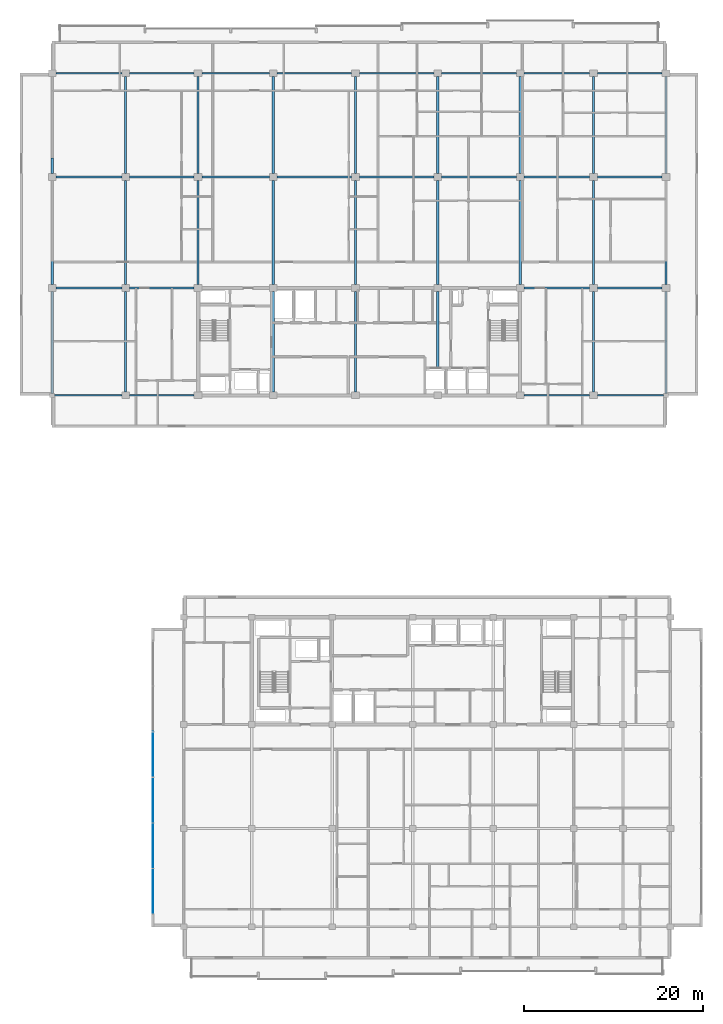
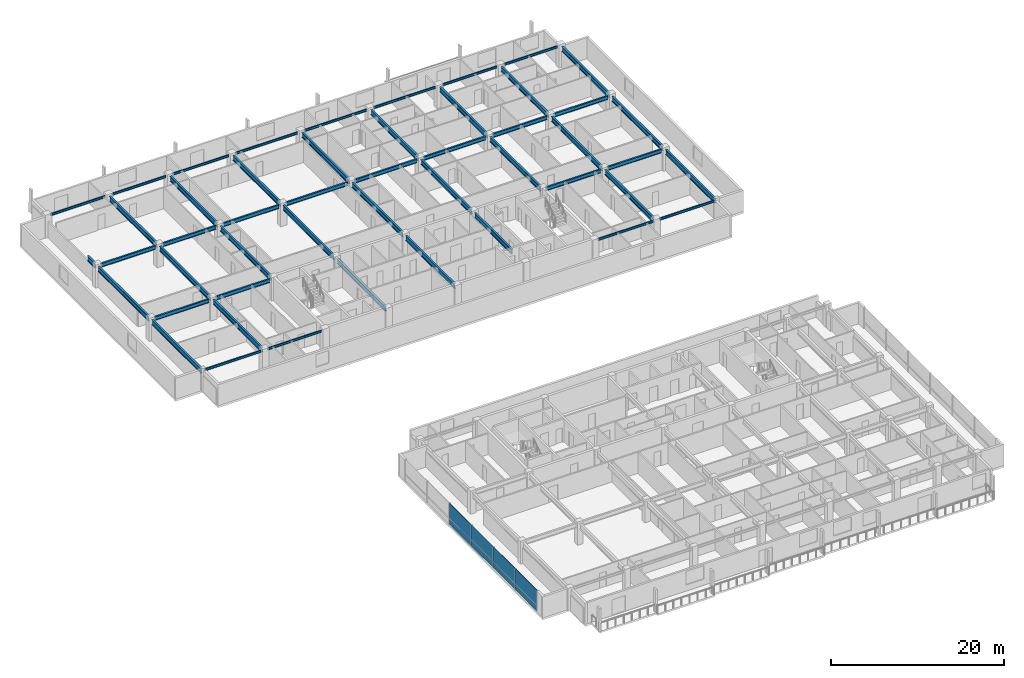
# One storey, part 11 of 30: 49 beams, 8 plates, 1 element without a shape of its own.
"""IFC4 building model written with IfcOpenShell, lengths in metres."""

import ifcopenshell
import ifcopenshell.guid

model = None  # the IFC model being written
_history = None  # IfcOwnerHistory: only IFC2X3 demands one
_inside = {}  # id of a spatial element -> (the spatial element, [elements in it])
_under = {}  # id of a project, library or spatial element -> (it, [spatial elements below it])
_declared = {}  # id of a project -> (the project, [libraries it declares])
_typed = {}  # id of a type object -> (the type object, [elements of that type])
_made_of = {}  # id of a material, layer set ... -> (it, [elements and type objects made of it])


def new_model(schema):
    """Start an empty IFC model of exactly this schema.

    Asked for "IFC4X3", IfcOpenShell would pick the latest addendum, in which some entities
    have other attributes; the version numbers below select the first issue.
    IFC2X3 requires an IfcOwnerHistory on every rooted entity: one is made here for all.
    """
    global model, _history
    if schema == "IFC4X3":
        model = ifcopenshell.file(schema_version=(4, 3, 0, 0))
    else:
        model = ifcopenshell.file(schema=schema)
    _inside.clear()
    _under.clear()
    _declared.clear()
    _typed.clear()
    _made_of.clear()
    _history = None
    if model.schema == "IFC2X3":
        org = make("IfcOrganization", Name="unknown")
        user = make(
            "IfcPersonAndOrganization",
            ThePerson=make("IfcPerson", FamilyName="unknown"),
            TheOrganization=org,
        )
        app = make(
            "IfcApplication",
            ApplicationDeveloper=org,
            Version="unknown",
            ApplicationFullName="unknown",
            ApplicationIdentifier="unknown",
        )
        _history = make(
            "IfcOwnerHistory",
            OwningUser=user,
            OwningApplication=app,
            ChangeAction="ADDED",
            CreationDate=0,
        )
    return model


def make(cls, **values):
    """One entity of the class cls with the attributes given. An attribute that is None is left unset."""
    return model.create_entity(
        cls, **{name: value for name, value in values.items() if value is not None}
    )


def rooted(cls, **values):
    """An entity with a GlobalId (a new one), such as an element, a storey or a relation."""
    return make(cls, GlobalId=ifcopenshell.guid.new(), OwnerHistory=_history, **values)


def si_unit(unit_type, name, prefix=None):
    """IfcSIUnit, for example si_unit("LENGTHUNIT", "METRE", prefix="MILLI")."""
    return make("IfcSIUnit", UnitType=unit_type, Prefix=prefix, Name=name)


def assignment(units):
    """IfcUnitAssignment: the units of a project."""
    return None if units is None else make("IfcUnitAssignment", Units=units)


def point(xyz):
    """IfcCartesianPoint."""
    return None if xyz is None else make("IfcCartesianPoint", Coordinates=xyz)


def direction(xyz):
    """IfcDirection."""
    return None if xyz is None else make("IfcDirection", DirectionRatios=xyz)


def frame(location, z_axis=None, x_axis=None):
    """IfcAxis2Placement3D, a coordinate frame: its origin and axes. An axis left out is left unset."""
    return make(
        "IfcAxis2Placement3D",
        Location=point(location),
        Axis=direction(z_axis),
        RefDirection=direction(x_axis),
    )


def frame_2d(location, x_axis=None):
    """IfcAxis2Placement2D, a coordinate frame in the plane: its origin and x axis."""
    return make(
        "IfcAxis2Placement2D", Location=point(location), RefDirection=direction(x_axis)
    )


def origin():
    """The frame at (0, 0, 0) with its axes left unset."""
    return frame((0.0, 0.0, 0.0))


def origin_2d():
    """The frame at (0, 0) in the plane with its x axis left unset."""
    return frame_2d((0.0, 0.0))


def place(relative_to, where):
    """IfcLocalPlacement: puts the frame where relative to a parent placement (None: the world)."""
    return make(
        "IfcLocalPlacement", PlacementRelTo=relative_to, RelativePlacement=where
    )


def context(
    kind, dimensions, precision=None, world=None, true_north=None, identifier=None
):
    """IfcGeometricRepresentationContext, for example the 3D "Model" context."""
    return make(
        "IfcGeometricRepresentationContext",
        ContextIdentifier=identifier,
        ContextType=kind,
        CoordinateSpaceDimension=dimensions,
        Precision=precision,
        WorldCoordinateSystem=world,
        TrueNorth=true_north,
    )


def subcontext(parent, identifier, kind, view, scale=None):
    """IfcGeometricRepresentationSubContext, for example "Body" below "Model"."""
    return make(
        "IfcGeometricRepresentationSubContext",
        ContextIdentifier=identifier,
        ContextType=kind,
        ParentContext=parent,
        TargetScale=scale,
        TargetView=view,
    )


def project(units=None, contexts=None):
    """IfcProject with its units and contexts."""
    return rooted(
        "IfcProject",
        Name="project",
        RepresentationContexts=contexts,
        UnitsInContext=assignment(units),
    )


def spatial(cls, under=None, at=None, **own):
    """A site, building, storey or space (cls), placed at a placement, below another one or the project."""
    s = rooted(cls, ObjectPlacement=at, **own)
    if under is not None:
        _under.setdefault(under.id(), (under, []))[1].append(s)
    return s


def profile(cls, at=None, kind="AREA", **sizes):
    """A parametric profile (cls). Its sizes go by their IFC names, for example OverallWidth=200.0."""
    return make(cls, ProfileType=kind, Position=at, **sizes)


def rectangle(**sizes):
    """IfcRectangleProfileDef."""
    return profile("IfcRectangleProfileDef", **sizes)


def i_section(**sizes):
    """IfcIShapeProfileDef."""
    return profile("IfcIShapeProfileDef", **sizes)


def extrude(swept, where, along, depth):
    """IfcExtrudedAreaSolid: the profile swept, set in the frame where, extruded along a direction by depth."""
    return make(
        "IfcExtrudedAreaSolid",
        SweptArea=swept,
        Position=where,
        ExtrudedDirection=direction(along),
        Depth=depth,
    )


def shape(context_of_items, identifier, shape_type, items):
    """IfcShapeRepresentation: the items that make up one representation, for example the "Body"."""
    return make(
        "IfcShapeRepresentation",
        ContextOfItems=context_of_items,
        RepresentationIdentifier=identifier,
        RepresentationType=shape_type,
        Items=items,
    )


def material(Name=None, Category=None):
    """IfcMaterial."""
    return make("IfcMaterial", Name=Name, Category=Category)


def layer(
    of_material, thickness, ventilated=None, Name=None, Category=None, Priority=None
):
    """IfcMaterialLayer: one layer of a wall or slab, of a material (None: an air gap)."""
    return make(
        "IfcMaterialLayer",
        Material=of_material,
        LayerThickness=thickness,
        IsVentilated=ventilated,
        Name=Name,
        Category=Category,
        Priority=Priority,
    )


def layer_set(layers, Name=None):
    """IfcMaterialLayerSet."""
    return make("IfcMaterialLayerSet", MaterialLayers=layers, LayerSetName=Name)


def material_profile(
    of_material, cross_section, Name=None, Category=None, Priority=None
):
    """IfcMaterialProfile: a cross section and its material."""
    return make(
        "IfcMaterialProfile",
        Name=Name,
        Material=of_material,
        Profile=cross_section,
        Priority=Priority,
        Category=Category,
    )


def profile_set(profiles, Name=None, composite=None):
    """IfcMaterialProfileSet."""
    return make(
        "IfcMaterialProfileSet",
        Name=Name,
        MaterialProfiles=profiles,
        CompositeProfile=composite,
    )


def made_of(thing, what):
    """Note that an element or type object is made of a material, layer set ...; save() writes the relation."""
    if what is not None:
        _made_of.setdefault(what.id(), (what, []))[1].append(thing)
    return thing


def type_object(cls, material=None, **own):
    """A type object (cls), such as IfcWallType, which elements share."""
    return made_of(rooted(cls, **own), material)


def element(
    cls,
    number,
    at=None,
    inside=None,
    cuts=None,
    type_object=None,
    material=None,
    context=None,
    identifier="Body",
    shape_type=None,
    held_by="IfcProductDefinitionShape",
    body=None,
    shapes=None,
    **own,
):
    """One element of the class cls, such as IfcWall. Its Tag is "e" and its number.

    at: its placement. inside: the storey or other place that contains it. cuts: it is an
    opening in that element (IfcRelVoidsElement). A single representation is given by context,
    identifier, shape_type and body (its items); several are given by shapes. held_by: the class
    of the entity that holds the representations. save() writes the other relations.
    """
    e = rooted(cls, Tag="e%d" % number, ObjectPlacement=at, **own)
    if body is not None:
        shapes = [shape(context, identifier, shape_type, body)]
    if shapes is not None:
        e.Representation = make(held_by, Representations=shapes)
    if inside is not None:
        _inside.setdefault(inside.id(), (inside, []))[1].append(e)
    if cuts is not None:
        rooted(
            "IfcRelVoidsElement", RelatingBuildingElement=cuts, RelatedOpeningElement=e
        )
    if type_object is not None:
        _typed.setdefault(type_object.id(), (type_object, []))[1].append(e)
    return made_of(e, material)


def aggregate(whole, parts):
    """IfcRelAggregates: a whole, such as a stair, and the parts it consists of."""
    return rooted("IfcRelAggregates", RelatingObject=whole, RelatedObjects=parts)


def save(model, path):
    """Write the relations noted so far, then the file.

    IfcRelAggregates (storeys below a building ...), IfcRelContainedInSpatialStructure (elements
    in a storey), IfcRelDefinesByType, IfcRelAssociatesMaterial and IfcRelDeclares: one each for
    every whole, place, type object, material and project.
    """
    for whole, parts in _under.values():
        aggregate(whole, parts)
    for where, things in _inside.values():
        rooted(
            "IfcRelContainedInSpatialStructure",
            RelatedElements=things,
            RelatingStructure=where,
        )
    for kind, things in _typed.values():
        rooted("IfcRelDefinesByType", RelatedObjects=things, RelatingType=kind)
    for what, things in _made_of.values():
        rooted("IfcRelAssociatesMaterial", RelatedObjects=things, RelatingMaterial=what)
    for by, libraries in _declared.values():
        rooted("IfcRelDeclares", RelatingContext=by, RelatedDefinitions=libraries)
    model.write(path)


model = new_model("IFC4")

# Units and contexts
model_context = context("Model", 3, precision=1e-05, world=origin(), true_north=direction((0.0, 1.0)))
body_context = subcontext(model_context, "Body", "Model", "MODEL_VIEW")
ifc_project = project(units=[si_unit("LENGTHUNIT", "METRE"), si_unit("AREAUNIT", "SQUARE_METRE"), si_unit("VOLUMEUNIT", "CUBIC_METRE"), si_unit("PLANEANGLEUNIT", "RADIAN"), si_unit("MASSUNIT", "GRAM", prefix="KILO")], contexts=[model_context])

# Site, building, storey
site_placement = place(None, origin())
site = spatial("IfcSite", under=ifc_project, at=site_placement, CompositionType="ELEMENT")
building_placement = place(site_placement, origin())
building = spatial("IfcBuilding", under=site, at=building_placement, Name="Korimba Cascade Residences", CompositionType="ELEMENT")
storey_placement = place(building_placement, frame((0.0, 0.0, 201.10009765625)))
storey = spatial("IfcBuildingStorey", under=building, at=storey_placement, Name="L58", CompositionType="ELEMENT", Elevation=201.10009765625)

# Beams
ifc_material_1 = material(Name="Steel S355", Category="steel")
ifc_material_profile_1 = material_profile(ifc_material_1, i_section(OverallWidth=0.165771484375, OverallDepth=0.306640625, WebThickness=0.006591796875, FlangeThickness=0.01171875, FilletRadius=0.0087890625, at=origin_2d()), Name="Steel S355")
ifc_profile_set_1 = profile_set([ifc_material_profile_1], Name="Steel S355")
beam_type_1 = type_object("IfcBeamType", Name="BM-STL-UB305", PredefinedType="SPANDREL", material=ifc_profile_set_1)
beam_1_placement = place(storey_placement, frame((60.074951171875, 55.199951171875, 2.816650390625), z_axis=(1.0, 0.0, 0.0), x_axis=(0.0, 1.0, 0.0)))
element("IfcBeam", 1, at=beam_1_placement, inside=storey, type_object=beam_type_1, Name="L58 T1 E-W Girder Y1 Bay 1", PredefinedType="SPANDREL", context=body_context, shape_type="SweptSolid", body=[
    extrude(i_section(OverallWidth=0.165771484375, OverallDepth=0.306640625, WebThickness=0.006591796875, FlangeThickness=0.01171875, FilletRadius=0.0087890625, at=origin_2d()), origin(), (0.0, 0.0, 1.0), 7.5),
])
beam_2_placement = place(storey_placement, frame((68.425048828125, 55.199951171875, 2.816650390625), z_axis=(1.0, 0.0, 0.0), x_axis=(0.0, 1.0, 0.0)))
element("IfcBeam", 2, at=beam_2_placement, inside=storey, type_object=beam_type_1, Name="L58 T1 E-W Girder Y1 Bay 2", PredefinedType="SPANDREL", context=body_context, shape_type="SweptSolid", body=[
    extrude(i_section(OverallWidth=0.165771484375, OverallDepth=0.306640625, WebThickness=0.006591796875, FlangeThickness=0.01171875, FilletRadius=0.0087890625, at=origin_2d()), origin(), (0.0, 0.0, 1.0), 7.25),
])
beam_3_placement = place(storey_placement, frame((112.52490234375, 55.199951171875, 2.816650390625), z_axis=(1.0, 0.0, 0.0), x_axis=(0.0, 1.0, 0.0)))
element("IfcBeam", 3, at=beam_3_placement, inside=storey, type_object=beam_type_1, Name="L58 T1 E-W Girder Y1 Bay 7", PredefinedType="SPANDREL", context=body_context, shape_type="SweptSolid", body=[
    extrude(i_section(OverallWidth=0.165771484375, OverallDepth=0.306640625, WebThickness=0.006591796875, FlangeThickness=0.01171875, FilletRadius=0.0087890625, at=origin_2d()), origin(), (0.0, 0.0, 1.0), 7.35009765625),
])
beam_4_placement = place(storey_placement, frame((120.72509765625, 55.199951171875, 2.816650390625), z_axis=(1.0, 0.0, 0.0), x_axis=(0.0, 1.0, 0.0)))
element("IfcBeam", 4, at=beam_4_placement, inside=storey, type_object=beam_type_1, Name="L58 T1 E-W Girder Y1 Bay 8", PredefinedType="SPANDREL", context=body_context, shape_type="SweptSolid", body=[
    extrude(i_section(OverallWidth=0.165771484375, OverallDepth=0.306640625, WebThickness=0.006591796875, FlangeThickness=0.01171875, FilletRadius=0.0087890625, at=origin_2d()), origin(), (0.0, 0.0, 1.0), 7.39990234375),
])
beam_5_placement = place(storey_placement, frame((60.22509765625, 91.199951171875, 2.816650390625), z_axis=(1.0, 0.0, 0.0), x_axis=(0.0, 1.0, 0.0)))
element("IfcBeam", 5, at=beam_5_placement, inside=storey, type_object=beam_type_1, Name="L58 T1 E-W Girder Y4 Bay 1", PredefinedType="SPANDREL", context=body_context, shape_type="SweptSolid", body=[
    extrude(i_section(OverallWidth=0.165771484375, OverallDepth=0.306640625, WebThickness=0.006591796875, FlangeThickness=0.01171875, FilletRadius=0.0087890625, at=origin_2d()), origin(), (0.0, 0.0, 1.0), 7.349853515625),
])
beam_6_placement = place(storey_placement, frame((68.425048828125, 91.199951171875, 2.816650390625), z_axis=(1.0, 0.0, 0.0), x_axis=(0.0, 1.0, 0.0)))
element("IfcBeam", 6, at=beam_6_placement, inside=storey, type_object=beam_type_1, Name="L58 T1 E-W Girder Y4 Bay 2", PredefinedType="SPANDREL", context=body_context, shape_type="SweptSolid", body=[
    extrude(i_section(OverallWidth=0.165771484375, OverallDepth=0.306640625, WebThickness=0.006591796875, FlangeThickness=0.01171875, FilletRadius=0.0087890625, at=origin_2d()), origin(), (0.0, 0.0, 1.0), 7.25),
])
beam_7_placement = place(storey_placement, frame((76.52490234375, 91.199951171875, 2.816650390625), z_axis=(1.0, 0.0, 0.0), x_axis=(0.0, 1.0, 0.0)))
element("IfcBeam", 7, at=beam_7_placement, inside=storey, type_object=beam_type_1, Name="L58 T1 E-W Girder Y4 Bay 3", PredefinedType="SPANDREL", context=body_context, shape_type="SweptSolid", body=[
    extrude(i_section(OverallWidth=0.165771484375, OverallDepth=0.306640625, WebThickness=0.006591796875, FlangeThickness=0.01171875, FilletRadius=0.0087890625, at=origin_2d()), origin(), (0.0, 0.0, 1.0), 7.550048828125),
])
beam_8_placement = place(storey_placement, frame((84.925048828125, 91.199951171875, 2.816650390625), z_axis=(1.0, 0.0, 0.0), x_axis=(0.0, 1.0, 0.0)))
element("IfcBeam", 8, at=beam_8_placement, inside=storey, type_object=beam_type_1, Name="L58 T1 E-W Girder Y4 Bay 4", PredefinedType="SPANDREL", context=body_context, shape_type="SweptSolid", body=[
    extrude(i_section(OverallWidth=0.165771484375, OverallDepth=0.306640625, WebThickness=0.006591796875, FlangeThickness=0.01171875, FilletRadius=0.0087890625, at=origin_2d()), origin(), (0.0, 0.0, 1.0), 8.349853515625),
])
for number, where, z_axis, x_axis, name in (
    (9, (94.125, 91.199951171875, 2.816650390625), (1.0, 0.0, 0.0), (0.0, 1.0, 0.0), "L58 T1 E-W Girder Y4 Bay 5"),
    (10, (103.324951171875, 91.199951171875, 2.816650390625), (1.0, 0.0, 0.0), (0.0, 1.0, 0.0), "L58 T1 E-W Girder Y4 Bay 6"),
):
    element("IfcBeam", number, at=place(storey_placement, frame(where, z_axis=z_axis, x_axis=x_axis)), inside=storey, type_object=beam_type_1, Name=name, PredefinedType="SPANDREL", context=body_context, shape_type="SweptSolid", body=[
        extrude(i_section(OverallWidth=0.165771484375, OverallDepth=0.306640625, WebThickness=0.006591796875, FlangeThickness=0.01171875, FilletRadius=0.0087890625, at=origin_2d()), origin(), (0.0, 0.0, 1.0), 8.35009765625),
    ])
beam_9_placement = place(storey_placement, frame((112.52490234375, 91.199951171875, 2.816650390625), z_axis=(1.0, 0.0, 0.0), x_axis=(0.0, 1.0, 0.0)))
element("IfcBeam", 11, at=beam_9_placement, inside=storey, type_object=beam_type_1, Name="L58 T1 E-W Girder Y4 Bay 7", PredefinedType="SPANDREL", context=body_context, shape_type="SweptSolid", body=[
    extrude(i_section(OverallWidth=0.165771484375, OverallDepth=0.306640625, WebThickness=0.006591796875, FlangeThickness=0.01171875, FilletRadius=0.0087890625, at=origin_2d()), origin(), (0.0, 0.0, 1.0), 7.35009765625),
])
beam_10_placement = place(storey_placement, frame((120.72509765625, 91.199951171875, 2.816650390625), z_axis=(1.0, 0.0, 0.0), x_axis=(0.0, 1.0, 0.0)))
element("IfcBeam", 12, at=beam_10_placement, inside=storey, type_object=beam_type_1, Name="L58 T1 E-W Girder Y4 Bay 8", PredefinedType="SPANDREL", context=body_context, shape_type="SweptSolid", body=[
    extrude(i_section(OverallWidth=0.165771484375, OverallDepth=0.306640625, WebThickness=0.006591796875, FlangeThickness=0.01171875, FilletRadius=0.0087890625, at=origin_2d()), origin(), (0.0, 0.0, 1.0), 7.25),
])
ifc_material_profile_2 = material_profile(ifc_material_1, i_section(OverallWidth=0.2099609375, OverallDepth=0.53662109375, WebThickness=0.0107421875, FlangeThickness=0.017333984375, FilletRadius=0.0126953125, at=origin_2d()), Name="Steel S355")
ifc_profile_set_2 = profile_set([ifc_material_profile_2], Name="Steel S355")
beam_type_2 = type_object("IfcBeamType", Name="BM-STL-UB533", PredefinedType="BEAM", material=ifc_profile_set_2)
beam_11_placement = place(storey_placement, frame((60.22509765625, 67.199951171875, 2.701416015625), z_axis=(1.0, 0.0, 0.0), x_axis=(0.0, 1.0, 0.0)))
element("IfcBeam", 13, at=beam_11_placement, inside=storey, type_object=beam_type_2, Name="L58 T1 E-W Girder Y2 Bay 1", PredefinedType="BEAM", context=body_context, shape_type="SweptSolid", body=[
    extrude(i_section(OverallWidth=0.2099609375, OverallDepth=0.53662109375, WebThickness=0.0107421875, FlangeThickness=0.017333984375, FilletRadius=0.0126953125, at=origin_2d()), origin(), (0.0, 0.0, 1.0), 7.349853515625),
])
beam_12_placement = place(storey_placement, frame((68.425048828125, 67.199951171875, 2.701416015625), z_axis=(1.0, 0.0, 0.0), x_axis=(0.0, 1.0, 0.0)))
element("IfcBeam", 14, at=beam_12_placement, inside=storey, type_object=beam_type_2, Name="L58 T1 E-W Girder Y2 Bay 2", PredefinedType="BEAM", context=body_context, shape_type="SweptSolid", body=[
    extrude(i_section(OverallWidth=0.2099609375, OverallDepth=0.53662109375, WebThickness=0.0107421875, FlangeThickness=0.017333984375, FilletRadius=0.0126953125, at=origin_2d()), origin(), (0.0, 0.0, 1.0), 7.25),
])
beam_13_placement = place(storey_placement, frame((112.52490234375, 67.199951171875, 2.701416015625), z_axis=(1.0, 0.0, 0.0), x_axis=(0.0, 1.0, 0.0)))
element("IfcBeam", 15, at=beam_13_placement, inside=storey, type_object=beam_type_2, Name="L58 T1 E-W Girder Y2 Bay 7", PredefinedType="BEAM", context=body_context, shape_type="SweptSolid", body=[
    extrude(i_section(OverallWidth=0.2099609375, OverallDepth=0.53662109375, WebThickness=0.0107421875, FlangeThickness=0.017333984375, FilletRadius=0.0126953125, at=origin_2d()), origin(), (0.0, 0.0, 1.0), 7.35009765625),
])
beam_14_placement = place(storey_placement, frame((120.72509765625, 67.199951171875, 2.701416015625), z_axis=(1.0, 0.0, 0.0), x_axis=(0.0, 1.0, 0.0)))
element("IfcBeam", 16, at=beam_14_placement, inside=storey, type_object=beam_type_2, Name="L58 T1 E-W Girder Y2 Bay 8", PredefinedType="BEAM", context=body_context, shape_type="SweptSolid", body=[
    extrude(i_section(OverallWidth=0.2099609375, OverallDepth=0.53662109375, WebThickness=0.0107421875, FlangeThickness=0.017333984375, FilletRadius=0.0126953125, at=origin_2d()), origin(), (0.0, 0.0, 1.0), 7.25),
])
beam_15_placement = place(storey_placement, frame((60.22509765625, 79.60009765625, 2.701416015625), z_axis=(1.0, 0.0, 0.0), x_axis=(0.0, 1.0, 0.0)))
element("IfcBeam", 17, at=beam_15_placement, inside=storey, type_object=beam_type_2, Name="L58 T1 E-W Girder Y3 Bay 1", PredefinedType="BEAM", context=body_context, shape_type="SweptSolid", body=[
    extrude(i_section(OverallWidth=0.2099609375, OverallDepth=0.53662109375, WebThickness=0.0107421875, FlangeThickness=0.017333984375, FilletRadius=0.0126953125, at=origin_2d()), origin(), (0.0, 0.0, 1.0), 7.349853515625),
])
beam_16_placement = place(storey_placement, frame((68.425048828125, 79.60009765625, 2.701416015625), z_axis=(1.0, 0.0, 0.0), x_axis=(0.0, 1.0, 0.0)))
element("IfcBeam", 18, at=beam_16_placement, inside=storey, type_object=beam_type_2, Name="L58 T1 E-W Girder Y3 Bay 2", PredefinedType="BEAM", context=body_context, shape_type="SweptSolid", body=[
    extrude(i_section(OverallWidth=0.2099609375, OverallDepth=0.53662109375, WebThickness=0.0107421875, FlangeThickness=0.017333984375, FilletRadius=0.0126953125, at=origin_2d()), origin(), (0.0, 0.0, 1.0), 7.25),
])
beam_17_placement = place(storey_placement, frame((76.52490234375, 79.60009765625, 2.701416015625), z_axis=(1.0, 0.0, 0.0), x_axis=(0.0, 1.0, 0.0)))
element("IfcBeam", 19, at=beam_17_placement, inside=storey, type_object=beam_type_2, Name="L58 T1 E-W Girder Y3 Bay 3", PredefinedType="BEAM", context=body_context, shape_type="SweptSolid", body=[
    extrude(i_section(OverallWidth=0.2099609375, OverallDepth=0.53662109375, WebThickness=0.0107421875, FlangeThickness=0.017333984375, FilletRadius=0.0126953125, at=origin_2d()), origin(), (0.0, 0.0, 1.0), 7.550048828125),
])
beam_18_placement = place(storey_placement, frame((84.925048828125, 79.60009765625, 2.701416015625), z_axis=(1.0, 0.0, 0.0), x_axis=(0.0, 1.0, 0.0)))
element("IfcBeam", 20, at=beam_18_placement, inside=storey, type_object=beam_type_2, Name="L58 T1 E-W Girder Y3 Bay 4", PredefinedType="BEAM", context=body_context, shape_type="SweptSolid", body=[
    extrude(i_section(OverallWidth=0.2099609375, OverallDepth=0.53662109375, WebThickness=0.0107421875, FlangeThickness=0.017333984375, FilletRadius=0.0126953125, at=origin_2d()), origin(), (0.0, 0.0, 1.0), 8.349853515625),
])
for number, where, z_axis, x_axis, name in (
    (21, (94.125, 79.60009765625, 2.701416015625), (1.0, 0.0, 0.0), (0.0, 1.0, 0.0), "L58 T1 E-W Girder Y3 Bay 5"),
    (22, (103.324951171875, 79.60009765625, 2.701416015625), (1.0, 0.0, 0.0), (0.0, 1.0, 0.0), "L58 T1 E-W Girder Y3 Bay 6"),
):
    element("IfcBeam", number, at=place(storey_placement, frame(where, z_axis=z_axis, x_axis=x_axis)), inside=storey, type_object=beam_type_2, Name=name, PredefinedType="BEAM", context=body_context, shape_type="SweptSolid", body=[
        extrude(i_section(OverallWidth=0.2099609375, OverallDepth=0.53662109375, WebThickness=0.0107421875, FlangeThickness=0.017333984375, FilletRadius=0.0126953125, at=origin_2d()), origin(), (0.0, 0.0, 1.0), 8.35009765625),
    ])
beam_19_placement = place(storey_placement, frame((112.52490234375, 79.60009765625, 2.701416015625), z_axis=(1.0, 0.0, 0.0), x_axis=(0.0, 1.0, 0.0)))
element("IfcBeam", 23, at=beam_19_placement, inside=storey, type_object=beam_type_2, Name="L58 T1 E-W Girder Y3 Bay 7", PredefinedType="BEAM", context=body_context, shape_type="SweptSolid", body=[
    extrude(i_section(OverallWidth=0.2099609375, OverallDepth=0.53662109375, WebThickness=0.0107421875, FlangeThickness=0.017333984375, FilletRadius=0.0126953125, at=origin_2d()), origin(), (0.0, 0.0, 1.0), 7.35009765625),
])
beam_20_placement = place(storey_placement, frame((120.72509765625, 79.60009765625, 2.701416015625), z_axis=(1.0, 0.0, 0.0), x_axis=(0.0, 1.0, 0.0)))
element("IfcBeam", 24, at=beam_20_placement, inside=storey, type_object=beam_type_2, Name="L58 T1 E-W Girder Y3 Bay 8", PredefinedType="BEAM", context=body_context, shape_type="SweptSolid", body=[
    extrude(i_section(OverallWidth=0.2099609375, OverallDepth=0.53662109375, WebThickness=0.0107421875, FlangeThickness=0.017333984375, FilletRadius=0.0126953125, at=origin_2d()), origin(), (0.0, 0.0, 1.0), 7.25),
])
ifc_material_profile_3 = material_profile(ifc_material_1, i_section(OverallWidth=0.255859375, OverallDepth=0.69287109375, WebThickness=0.014404296875, FlangeThickness=0.023681640625, FilletRadius=0.01513671875, at=origin_2d()), Name="Steel S355")
ifc_profile_set_3 = profile_set([ifc_material_profile_3], Name="Steel S355")
beam_type_3 = type_object("IfcBeamType", Name="BM-STL-UB686", PredefinedType="BEAM", material=ifc_profile_set_3)
beam_21_placement = place(storey_placement, frame((59.800048828125, 55.425048828125, 2.623291015625), z_axis=(0.0, 1.0, 0.0), x_axis=(-1.0, 0.0, 0.0)))
element("IfcBeam", 25, at=beam_21_placement, inside=storey, type_object=beam_type_3, Name="L58 T1 N-S Girder X1 Seg 1", PredefinedType="BEAM", context=body_context, shape_type="SweptSolid", body=[
    extrude(i_section(OverallWidth=0.255859375, OverallDepth=0.69287109375, WebThickness=0.014404296875, FlangeThickness=0.023681640625, FilletRadius=0.01513671875, at=origin_2d()), origin(), (0.0, 0.0, 1.0), 11.39990234375),
])
beam_22_placement = place(storey_placement, frame((59.800048828125, 67.574951171875, 2.623291015625), z_axis=(0.0, 1.0, 0.0), x_axis=(-1.0, 0.0, 0.0)))
element("IfcBeam", 26, at=beam_22_placement, inside=storey, type_object=beam_type_3, Name="L58 T1 N-S Girder X1 Seg 2", PredefinedType="BEAM", context=body_context, shape_type="SweptSolid", body=[
    extrude(i_section(OverallWidth=0.255859375, OverallDepth=0.69287109375, WebThickness=0.014404296875, FlangeThickness=0.023681640625, FilletRadius=0.01513671875, at=origin_2d()), origin(), (0.0, 0.0, 1.0), 11.650146484375),
])
beam_23_placement = place(storey_placement, frame((59.800048828125, 79.97509765625, 2.623291015625), z_axis=(0.0, 1.0, 0.0), x_axis=(-1.0, 0.0, 0.0)))
element("IfcBeam", 27, at=beam_23_placement, inside=storey, type_object=beam_type_3, Name="L58 T1 N-S Girder X1 Seg 3", PredefinedType="BEAM", context=body_context, shape_type="SweptSolid", body=[
    extrude(i_section(OverallWidth=0.255859375, OverallDepth=0.69287109375, WebThickness=0.014404296875, FlangeThickness=0.023681640625, FilletRadius=0.01513671875, at=origin_2d()), origin(), (0.0, 0.0, 1.0), 1.724853515625),
])
beam_24_placement = place(storey_placement, frame((68.0, 55.574951171875, 2.623291015625), z_axis=(0.0, 1.0, 0.0), x_axis=(-1.0, 0.0, 0.0)))
element("IfcBeam", 28, at=beam_24_placement, inside=storey, type_object=beam_type_3, Name="L58 T1 N-S Girder X2 Seg 1", PredefinedType="BEAM", context=body_context, shape_type="SweptSolid", body=[
    extrude(i_section(OverallWidth=0.255859375, OverallDepth=0.69287109375, WebThickness=0.014404296875, FlangeThickness=0.023681640625, FilletRadius=0.01513671875, at=origin_2d()), origin(), (0.0, 0.0, 1.0), 11.25),
])
beam_25_placement = place(storey_placement, frame((68.0, 67.574951171875, 2.623291015625), z_axis=(0.0, 1.0, 0.0), x_axis=(-1.0, 0.0, 0.0)))
element("IfcBeam", 29, at=beam_25_placement, inside=storey, type_object=beam_type_3, Name="L58 T1 N-S Girder X2 Seg 2", PredefinedType="BEAM", context=body_context, shape_type="SweptSolid", body=[
    extrude(i_section(OverallWidth=0.255859375, OverallDepth=0.69287109375, WebThickness=0.014404296875, FlangeThickness=0.023681640625, FilletRadius=0.01513671875, at=origin_2d()), origin(), (0.0, 0.0, 1.0), 11.650146484375),
])
beam_26_placement = place(storey_placement, frame((68.0, 79.97509765625, 2.623291015625), z_axis=(0.0, 1.0, 0.0), x_axis=(-1.0, 0.0, 0.0)))
element("IfcBeam", 30, at=beam_26_placement, inside=storey, type_object=beam_type_3, Name="L58 T1 N-S Girder X2 Seg 3", PredefinedType="BEAM", context=body_context, shape_type="SweptSolid", body=[
    extrude(i_section(OverallWidth=0.255859375, OverallDepth=0.69287109375, WebThickness=0.014404296875, FlangeThickness=0.023681640625, FilletRadius=0.01513671875, at=origin_2d()), origin(), (0.0, 0.0, 1.0), 10.849853515625),
])
beam_27_placement = place(storey_placement, frame((76.10009765625, 67.574951171875, 2.623291015625), z_axis=(0.0, 1.0, 0.0), x_axis=(-1.0, 0.0, 0.0)))
element("IfcBeam", 31, at=beam_27_placement, inside=storey, type_object=beam_type_3, Name="L58 T1 N-S Girder X3 Seg 2", PredefinedType="BEAM", context=body_context, shape_type="SweptSolid", body=[
    extrude(i_section(OverallWidth=0.255859375, OverallDepth=0.69287109375, WebThickness=0.014404296875, FlangeThickness=0.023681640625, FilletRadius=0.01513671875, at=origin_2d()), origin(), (0.0, 0.0, 1.0), 11.650146484375),
])
beam_28_placement = place(storey_placement, frame((76.10009765625, 79.97509765625, 2.623291015625), z_axis=(0.0, 1.0, 0.0), x_axis=(-1.0, 0.0, 0.0)))
element("IfcBeam", 32, at=beam_28_placement, inside=storey, type_object=beam_type_3, Name="L58 T1 N-S Girder X3 Seg 3", PredefinedType="BEAM", context=body_context, shape_type="SweptSolid", body=[
    extrude(i_section(OverallWidth=0.255859375, OverallDepth=0.69287109375, WebThickness=0.014404296875, FlangeThickness=0.023681640625, FilletRadius=0.01513671875, at=origin_2d()), origin(), (0.0, 0.0, 1.0), 10.849853515625),
])
beam_29_placement = place(storey_placement, frame((84.5, 55.574951171875, 2.623291015625), z_axis=(0.0, 1.0, 0.0), x_axis=(-1.0, 0.0, 0.0)))
element("IfcBeam", 33, at=beam_29_placement, inside=storey, type_object=beam_type_3, Name="L58 T1 N-S Girder X4 Seg 1", PredefinedType="BEAM", context=body_context, shape_type="SweptSolid", body=[
    extrude(i_section(OverallWidth=0.255859375, OverallDepth=0.69287109375, WebThickness=0.014404296875, FlangeThickness=0.023681640625, FilletRadius=0.01513671875, at=origin_2d()), origin(), (0.0, 0.0, 1.0), 11.25),
])
beam_30_placement = place(storey_placement, frame((84.5, 67.574951171875, 2.623291015625), z_axis=(0.0, 1.0, 0.0), x_axis=(-1.0, 0.0, 0.0)))
element("IfcBeam", 34, at=beam_30_placement, inside=storey, type_object=beam_type_3, Name="L58 T1 N-S Girder X4 Seg 2", PredefinedType="BEAM", context=body_context, shape_type="SweptSolid", body=[
    extrude(i_section(OverallWidth=0.255859375, OverallDepth=0.69287109375, WebThickness=0.014404296875, FlangeThickness=0.023681640625, FilletRadius=0.01513671875, at=origin_2d()), origin(), (0.0, 0.0, 1.0), 11.650146484375),
])
beam_31_placement = place(storey_placement, frame((84.5, 79.97509765625, 2.623291015625), z_axis=(0.0, 1.0, 0.0), x_axis=(-1.0, 0.0, 0.0)))
element("IfcBeam", 35, at=beam_31_placement, inside=storey, type_object=beam_type_3, Name="L58 T1 N-S Girder X4 Seg 3", PredefinedType="BEAM", context=body_context, shape_type="SweptSolid", body=[
    extrude(i_section(OverallWidth=0.255859375, OverallDepth=0.69287109375, WebThickness=0.014404296875, FlangeThickness=0.023681640625, FilletRadius=0.01513671875, at=origin_2d()), origin(), (0.0, 0.0, 1.0), 10.849853515625),
])
beam_32_placement = place(storey_placement, frame((93.699951171875, 55.574951171875, 2.623291015625), z_axis=(0.0, 1.0, 0.0), x_axis=(-1.0, 0.0, 0.0)))
element("IfcBeam", 36, at=beam_32_placement, inside=storey, type_object=beam_type_3, Name="L58 T1 N-S Girder X5 Seg 1", PredefinedType="BEAM", context=body_context, shape_type="SweptSolid", body=[
    extrude(i_section(OverallWidth=0.255859375, OverallDepth=0.69287109375, WebThickness=0.014404296875, FlangeThickness=0.023681640625, FilletRadius=0.01513671875, at=origin_2d()), origin(), (0.0, 0.0, 1.0), 11.25),
])
beam_33_placement = place(storey_placement, frame((93.699951171875, 67.574951171875, 2.623291015625), z_axis=(0.0, 1.0, 0.0), x_axis=(-1.0, 0.0, 0.0)))
element("IfcBeam", 37, at=beam_33_placement, inside=storey, type_object=beam_type_3, Name="L58 T1 N-S Girder X5 Seg 2", PredefinedType="BEAM", context=body_context, shape_type="SweptSolid", body=[
    extrude(i_section(OverallWidth=0.255859375, OverallDepth=0.69287109375, WebThickness=0.014404296875, FlangeThickness=0.023681640625, FilletRadius=0.01513671875, at=origin_2d()), origin(), (0.0, 0.0, 1.0), 11.650146484375),
])
beam_34_placement = place(storey_placement, frame((93.699951171875, 79.97509765625, 2.623291015625), z_axis=(0.0, 1.0, 0.0), x_axis=(-1.0, 0.0, 0.0)))
element("IfcBeam", 38, at=beam_34_placement, inside=storey, type_object=beam_type_3, Name="L58 T1 N-S Girder X5 Seg 3", PredefinedType="BEAM", context=body_context, shape_type="SweptSolid", body=[
    extrude(i_section(OverallWidth=0.255859375, OverallDepth=0.69287109375, WebThickness=0.014404296875, FlangeThickness=0.023681640625, FilletRadius=0.01513671875, at=origin_2d()), origin(), (0.0, 0.0, 1.0), 10.849853515625),
])
beam_35_placement = place(storey_placement, frame((102.89990234375, 58.260009765625, 2.623291015625), z_axis=(0.0, 1.0, 0.0), x_axis=(-1.0, 0.0, 0.0)))
element("IfcBeam", 39, at=beam_35_placement, inside=storey, type_object=beam_type_3, Name="L58 T1 N-S Girder X6 Seg 1", PredefinedType="BEAM", context=body_context, shape_type="SweptSolid", body=[
    extrude(i_section(OverallWidth=0.255859375, OverallDepth=0.69287109375, WebThickness=0.014404296875, FlangeThickness=0.023681640625, FilletRadius=0.01513671875, at=origin_2d()), origin(), (0.0, 0.0, 1.0), 8.56494140625),
])
beam_36_placement = place(storey_placement, frame((102.89990234375, 67.574951171875, 2.623291015625), z_axis=(0.0, 1.0, 0.0), x_axis=(-1.0, 0.0, 0.0)))
element("IfcBeam", 40, at=beam_36_placement, inside=storey, type_object=beam_type_3, Name="L58 T1 N-S Girder X6 Seg 2", PredefinedType="BEAM", context=body_context, shape_type="SweptSolid", body=[
    extrude(i_section(OverallWidth=0.255859375, OverallDepth=0.69287109375, WebThickness=0.014404296875, FlangeThickness=0.023681640625, FilletRadius=0.01513671875, at=origin_2d()), origin(), (0.0, 0.0, 1.0), 11.650146484375),
])
beam_37_placement = place(storey_placement, frame((102.89990234375, 79.97509765625, 2.623291015625), z_axis=(0.0, 1.0, 0.0), x_axis=(-1.0, 0.0, 0.0)))
element("IfcBeam", 41, at=beam_37_placement, inside=storey, type_object=beam_type_3, Name="L58 T1 N-S Girder X6 Seg 3", PredefinedType="BEAM", context=body_context, shape_type="SweptSolid", body=[
    extrude(i_section(OverallWidth=0.255859375, OverallDepth=0.69287109375, WebThickness=0.014404296875, FlangeThickness=0.023681640625, FilletRadius=0.01513671875, at=origin_2d()), origin(), (0.0, 0.0, 1.0), 10.849853515625),
])
beam_38_placement = place(storey_placement, frame((112.10009765625, 67.574951171875, 2.623291015625), z_axis=(0.0, 1.0, 0.0), x_axis=(-1.0, 0.0, 0.0)))
element("IfcBeam", 42, at=beam_38_placement, inside=storey, type_object=beam_type_3, Name="L58 T1 N-S Girder X7 Seg 2", PredefinedType="BEAM", context=body_context, shape_type="SweptSolid", body=[
    extrude(i_section(OverallWidth=0.255859375, OverallDepth=0.69287109375, WebThickness=0.014404296875, FlangeThickness=0.023681640625, FilletRadius=0.01513671875, at=origin_2d()), origin(), (0.0, 0.0, 1.0), 11.650146484375),
])
beam_39_placement = place(storey_placement, frame((112.10009765625, 79.97509765625, 2.623291015625), z_axis=(0.0, 1.0, 0.0), x_axis=(-1.0, 0.0, 0.0)))
element("IfcBeam", 43, at=beam_39_placement, inside=storey, type_object=beam_type_3, Name="L58 T1 N-S Girder X7 Seg 3", PredefinedType="BEAM", context=body_context, shape_type="SweptSolid", body=[
    extrude(i_section(OverallWidth=0.255859375, OverallDepth=0.69287109375, WebThickness=0.014404296875, FlangeThickness=0.023681640625, FilletRadius=0.01513671875, at=origin_2d()), origin(), (0.0, 0.0, 1.0), 10.849853515625),
])
beam_40_placement = place(storey_placement, frame((120.300048828125, 55.574951171875, 2.623291015625), z_axis=(0.0, 1.0, 0.0), x_axis=(-1.0, 0.0, 0.0)))
element("IfcBeam", 44, at=beam_40_placement, inside=storey, type_object=beam_type_3, Name="L58 T1 N-S Girder X8 Seg 1", PredefinedType="BEAM", context=body_context, shape_type="SweptSolid", body=[
    extrude(i_section(OverallWidth=0.255859375, OverallDepth=0.69287109375, WebThickness=0.014404296875, FlangeThickness=0.023681640625, FilletRadius=0.01513671875, at=origin_2d()), origin(), (0.0, 0.0, 1.0), 11.25),
])
beam_41_placement = place(storey_placement, frame((120.300048828125, 67.574951171875, 2.623291015625), z_axis=(0.0, 1.0, 0.0), x_axis=(-1.0, 0.0, 0.0)))
element("IfcBeam", 45, at=beam_41_placement, inside=storey, type_object=beam_type_3, Name="L58 T1 N-S Girder X8 Seg 2", PredefinedType="BEAM", context=body_context, shape_type="SweptSolid", body=[
    extrude(i_section(OverallWidth=0.255859375, OverallDepth=0.69287109375, WebThickness=0.014404296875, FlangeThickness=0.023681640625, FilletRadius=0.01513671875, at=origin_2d()), origin(), (0.0, 0.0, 1.0), 11.650146484375),
])
beam_42_placement = place(storey_placement, frame((120.300048828125, 79.97509765625, 2.623291015625), z_axis=(0.0, 1.0, 0.0), x_axis=(-1.0, 0.0, 0.0)))
element("IfcBeam", 46, at=beam_42_placement, inside=storey, type_object=beam_type_3, Name="L58 T1 N-S Girder X8 Seg 3", PredefinedType="BEAM", context=body_context, shape_type="SweptSolid", body=[
    extrude(i_section(OverallWidth=0.255859375, OverallDepth=0.69287109375, WebThickness=0.014404296875, FlangeThickness=0.023681640625, FilletRadius=0.01513671875, at=origin_2d()), origin(), (0.0, 0.0, 1.0), 10.849853515625),
])
beam_43_placement = place(storey_placement, frame((128.39990234375, 55.425048828125, 2.623291015625), z_axis=(0.0, 1.0, 0.0), x_axis=(-1.0, 0.0, 0.0)))
element("IfcBeam", 47, at=beam_43_placement, inside=storey, type_object=beam_type_3, Name="L58 T1 N-S Girder X9 Seg 1", PredefinedType="BEAM", context=body_context, shape_type="SweptSolid", body=[
    extrude(i_section(OverallWidth=0.255859375, OverallDepth=0.69287109375, WebThickness=0.014404296875, FlangeThickness=0.023681640625, FilletRadius=0.01513671875, at=origin_2d()), origin(), (0.0, 0.0, 1.0), 11.39990234375),
])
beam_44_placement = place(storey_placement, frame((128.39990234375, 67.574951171875, 2.623291015625), z_axis=(0.0, 1.0, 0.0), x_axis=(-1.0, 0.0, 0.0)))
element("IfcBeam", 48, at=beam_44_placement, inside=storey, type_object=beam_type_3, Name="L58 T1 N-S Girder X9 Seg 2", PredefinedType="BEAM", context=body_context, shape_type="SweptSolid", body=[
    extrude(i_section(OverallWidth=0.255859375, OverallDepth=0.69287109375, WebThickness=0.014404296875, FlangeThickness=0.023681640625, FilletRadius=0.01513671875, at=origin_2d()), origin(), (0.0, 0.0, 1.0), 11.650146484375),
])
beam_45_placement = place(storey_placement, frame((128.39990234375, 79.97509765625, 2.623291015625), z_axis=(0.0, 1.0, 0.0), x_axis=(-1.0, 0.0, 0.0)))
element("IfcBeam", 49, at=beam_45_placement, inside=storey, type_object=beam_type_3, Name="L58 T1 N-S Girder X9 Seg 3", PredefinedType="BEAM", context=body_context, shape_type="SweptSolid", body=[
    extrude(i_section(OverallWidth=0.255859375, OverallDepth=0.69287109375, WebThickness=0.014404296875, FlangeThickness=0.023681640625, FilletRadius=0.01513671875, at=origin_2d()), origin(), (0.0, 0.0, 1.0), 10.849853515625),
])

# Curtain wall, plates
ifc_material_2 = material(Name="Anodised Aluminium Curtain Wall Framing", Category="aluminium")
ifc_layer_1 = layer(ifc_material_2, 0.179931640625)
ifc_layer_set_1 = layer_set([ifc_layer_1], Name="Anodised Aluminium Curtain Wall Framing")
curtain_wall_type = type_object("IfcCurtainWallType", Name="CW-SKY-SYS2", PredefinedType="NOTDEFINED", material=ifc_layer_set_1)
curtain_wall_placement = place(storey_placement, origin())
curtain_wall = element("IfcCurtainWall", 50, at=curtain_wall_placement, inside=storey, type_object=curtain_wall_type, Name="L58 Curtain Wall CW-L58-T2-E9", PredefinedType="NOTDEFINED")
ifc_material_3 = material(Name="Insulated Stone-Tone Spandrel Panel", Category="masonry")
ifc_layer_2 = layer(ifc_material_3, 0.0400390625)
ifc_layer_set_2 = layer_set([ifc_layer_2], Name="Insulated Stone-Tone Spandrel Panel")
plate_type_1 = type_object("IfcPlateType", Name="CWP-SPN-40", PredefinedType="USERDEFINED", material=ifc_layer_set_2)
plate_1_placement = place(storey_placement, frame((71.050048828125, 15.050048828125, 0.0), z_axis=(0.0, 0.0, 1.0), x_axis=(0.0, -1.0, 0.0)))
plate_1 = element("IfcPlate", 51, at=plate_1_placement, type_object=plate_type_1, Name="CW-L58-T2-E9 Spandrel Panel 3", ObjectType="SPANDREL", PredefinedType="USERDEFINED", context=body_context, shape_type="SweptSolid", body=[
    extrude(rectangle(XDim=5.050048828125, YDim=0.0400390625, at=origin_2d()), origin(), (0.0, 0.0, 1.0), 0.83154296875),
])
plate_2_placement = place(storey_placement, frame((71.050048828125, 9.949951171875, 0.0), z_axis=(0.0, 0.0, 1.0), x_axis=(0.0, -1.0, 0.0)))
plate_2 = element("IfcPlate", 52, at=plate_2_placement, type_object=plate_type_1, Name="CW-L58-T2-E9 Spandrel Panel 4", ObjectType="SPANDREL", PredefinedType="USERDEFINED", context=body_context, shape_type="SweptSolid", body=[
    extrude(rectangle(XDim=5.050048828125, YDim=0.0400390625, at=origin_2d()), origin(), (0.0, 0.0, 1.0), 0.83154296875),
])
plate_3_placement = place(storey_placement, frame((71.050048828125, 4.85009765625, 0.0), z_axis=(0.0, 0.0, 1.0), x_axis=(0.0, -1.0, 0.0)))
plate_3 = element("IfcPlate", 53, at=plate_3_placement, type_object=plate_type_1, Name="CW-L58-T2-E9 Spandrel Panel 5", ObjectType="SPANDREL", PredefinedType="USERDEFINED", context=body_context, shape_type="SweptSolid", body=[
    extrude(rectangle(XDim=5.050048828125, YDim=0.0400390625, at=origin_2d()), origin(), (0.0, 0.0, 1.0), 0.83154296875),
])
plate_4_placement = place(storey_placement, frame((71.050048828125, -0.22998046875, 0.0), z_axis=(0.0, 0.0, 1.0), x_axis=(0.0, -1.0, 0.0)))
plate_4 = element("IfcPlate", 54, at=plate_4_placement, type_object=plate_type_1, Name="CW-L58-T2-E9 Spandrel Panel 6", ObjectType="SPANDREL", PredefinedType="USERDEFINED", context=body_context, shape_type="SweptSolid", body=[
    extrude(rectangle(XDim=5.010009765625, YDim=0.0400390625, at=origin_2d()), origin(), (0.0, 0.0, 1.0), 0.83154296875),
])
ifc_material_4 = material(Name="Low-E Double Glazing Unit", Category="glass")
ifc_layer_3 = layer(ifc_material_4, 0.028076171875)
ifc_layer_set_3 = layer_set([ifc_layer_3], Name="Low-E Double Glazing Unit")
plate_type_2 = type_object("IfcPlateType", Name="CWP-VIS-28", PredefinedType="CURTAIN_PANEL", material=ifc_layer_set_3)
plate_5_placement = place(storey_placement, frame((71.050048828125, 15.050048828125, 0.83154296875), z_axis=(0.0, 0.0, 1.0), x_axis=(0.0, -1.0, 0.0)))
plate_5 = element("IfcPlate", 55, at=plate_5_placement, type_object=plate_type_2, Name="CW-L58-T2-E9 Vision Glass Panel 3", PredefinedType="CURTAIN_PANEL", context=body_context, shape_type="SweptSolid", body=[
    extrude(rectangle(XDim=5.050048828125, YDim=0.028076171875, at=origin_2d()), origin(), (0.0, 0.0, 1.0), 2.138427734375),
])
plate_6_placement = place(storey_placement, frame((71.050048828125, 9.949951171875, 0.83154296875), z_axis=(0.0, 0.0, 1.0), x_axis=(0.0, -1.0, 0.0)))
plate_6 = element("IfcPlate", 56, at=plate_6_placement, type_object=plate_type_2, Name="CW-L58-T2-E9 Vision Glass Panel 4", PredefinedType="CURTAIN_PANEL", context=body_context, shape_type="SweptSolid", body=[
    extrude(rectangle(XDim=5.050048828125, YDim=0.028076171875, at=origin_2d()), origin(), (0.0, 0.0, 1.0), 2.138427734375),
])
plate_7_placement = place(storey_placement, frame((71.050048828125, 4.85009765625, 0.83154296875), z_axis=(0.0, 0.0, 1.0), x_axis=(0.0, -1.0, 0.0)))
plate_7 = element("IfcPlate", 57, at=plate_7_placement, type_object=plate_type_2, Name="CW-L58-T2-E9 Vision Glass Panel 5", PredefinedType="CURTAIN_PANEL", context=body_context, shape_type="SweptSolid", body=[
    extrude(rectangle(XDim=5.050048828125, YDim=0.028076171875, at=origin_2d()), origin(), (0.0, 0.0, 1.0), 2.138427734375),
])
plate_8_placement = place(storey_placement, frame((71.050048828125, -0.22998046875, 0.83154296875), z_axis=(0.0, 0.0, 1.0), x_axis=(0.0, -1.0, 0.0)))
plate_8 = element("IfcPlate", 58, at=plate_8_placement, type_object=plate_type_2, Name="CW-L58-T2-E9 Vision Glass Panel 6", PredefinedType="CURTAIN_PANEL", context=body_context, shape_type="SweptSolid", body=[
    extrude(rectangle(XDim=5.010009765625, YDim=0.028076171875, at=origin_2d()), origin(), (0.0, 0.0, 1.0), 2.138427734375),
])
aggregate(curtain_wall, [plate_1, plate_5, plate_2, plate_6, plate_3, plate_7, plate_4, plate_8])

save(model, "model.ifc")
